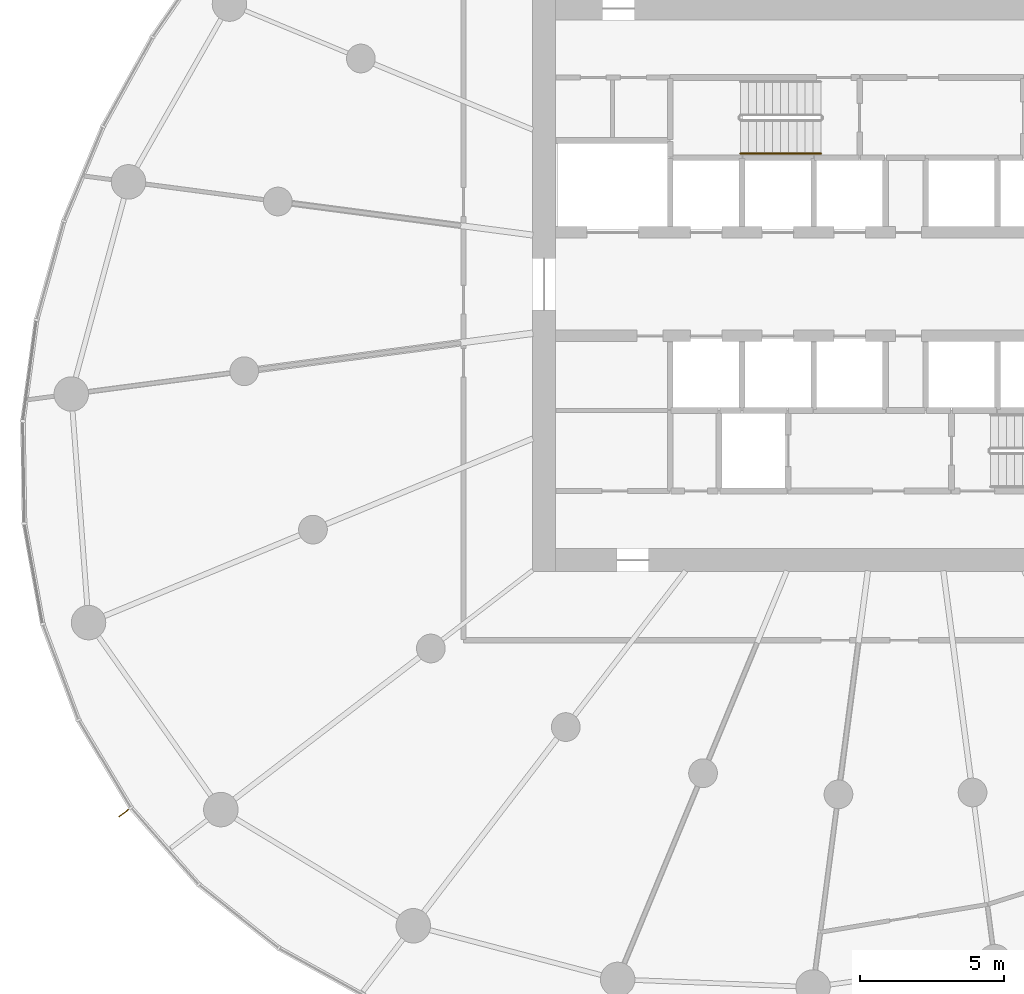
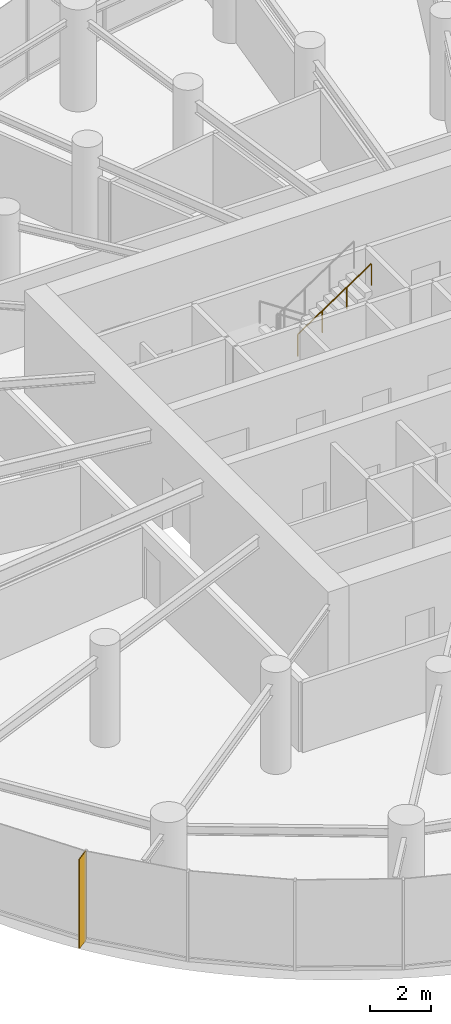
# One storey, part 15 of 17: 1 railing, 1 shading device.
"""IFC4 building model written with IfcOpenShell, lengths in metres."""

import ifcopenshell
import ifcopenshell.guid

model = None  # the IFC model being written
_history = None  # IfcOwnerHistory: only IFC2X3 demands one
_inside = {}  # id of a spatial element -> (the spatial element, [elements in it])
_under = {}  # id of a project, library or spatial element -> (it, [spatial elements below it])
_declared = {}  # id of a project -> (the project, [libraries it declares])
_typed = {}  # id of a type object -> (the type object, [elements of that type])
_made_of = {}  # id of a material, layer set ... -> (it, [elements and type objects made of it])


def new_model(schema):
    """Start an empty IFC model of exactly this schema.

    Asked for "IFC4X3", IfcOpenShell would pick the latest addendum, in which some entities
    have other attributes; the version numbers below select the first issue.
    IFC2X3 requires an IfcOwnerHistory on every rooted entity: one is made here for all.
    """
    global model, _history
    if schema == "IFC4X3":
        model = ifcopenshell.file(schema_version=(4, 3, 0, 0))
    else:
        model = ifcopenshell.file(schema=schema)
    _inside.clear()
    _under.clear()
    _declared.clear()
    _typed.clear()
    _made_of.clear()
    _history = None
    if model.schema == "IFC2X3":
        org = make("IfcOrganization", Name="unknown")
        user = make(
            "IfcPersonAndOrganization",
            ThePerson=make("IfcPerson", FamilyName="unknown"),
            TheOrganization=org,
        )
        app = make(
            "IfcApplication",
            ApplicationDeveloper=org,
            Version="unknown",
            ApplicationFullName="unknown",
            ApplicationIdentifier="unknown",
        )
        _history = make(
            "IfcOwnerHistory",
            OwningUser=user,
            OwningApplication=app,
            ChangeAction="ADDED",
            CreationDate=0,
        )
    return model


def make(cls, **values):
    """One entity of the class cls with the attributes given. An attribute that is None is left unset."""
    return model.create_entity(
        cls, **{name: value for name, value in values.items() if value is not None}
    )


def rooted(cls, **values):
    """An entity with a GlobalId (a new one), such as an element, a storey or a relation."""
    return make(cls, GlobalId=ifcopenshell.guid.new(), OwnerHistory=_history, **values)


def si_unit(unit_type, name, prefix=None):
    """IfcSIUnit, for example si_unit("LENGTHUNIT", "METRE", prefix="MILLI")."""
    return make("IfcSIUnit", UnitType=unit_type, Prefix=prefix, Name=name)


def assignment(units):
    """IfcUnitAssignment: the units of a project."""
    return None if units is None else make("IfcUnitAssignment", Units=units)


def point(xyz):
    """IfcCartesianPoint."""
    return None if xyz is None else make("IfcCartesianPoint", Coordinates=xyz)


def direction(xyz):
    """IfcDirection."""
    return None if xyz is None else make("IfcDirection", DirectionRatios=xyz)


def frame(location, z_axis=None, x_axis=None):
    """IfcAxis2Placement3D, a coordinate frame: its origin and axes. An axis left out is left unset."""
    return make(
        "IfcAxis2Placement3D",
        Location=point(location),
        Axis=direction(z_axis),
        RefDirection=direction(x_axis),
    )


def frame_2d(location, x_axis=None):
    """IfcAxis2Placement2D, a coordinate frame in the plane: its origin and x axis."""
    return make(
        "IfcAxis2Placement2D", Location=point(location), RefDirection=direction(x_axis)
    )


def origin():
    """The frame at (0, 0, 0) with its axes left unset."""
    return frame((0.0, 0.0, 0.0))


def origin_2d():
    """The frame at (0, 0) in the plane with its x axis left unset."""
    return frame_2d((0.0, 0.0))


def place(relative_to, where):
    """IfcLocalPlacement: puts the frame where relative to a parent placement (None: the world)."""
    return make(
        "IfcLocalPlacement", PlacementRelTo=relative_to, RelativePlacement=where
    )


def context(
    kind, dimensions, precision=None, world=None, true_north=None, identifier=None
):
    """IfcGeometricRepresentationContext, for example the 3D "Model" context."""
    return make(
        "IfcGeometricRepresentationContext",
        ContextIdentifier=identifier,
        ContextType=kind,
        CoordinateSpaceDimension=dimensions,
        Precision=precision,
        WorldCoordinateSystem=world,
        TrueNorth=true_north,
    )


def subcontext(parent, identifier, kind, view, scale=None):
    """IfcGeometricRepresentationSubContext, for example "Body" below "Model"."""
    return make(
        "IfcGeometricRepresentationSubContext",
        ContextIdentifier=identifier,
        ContextType=kind,
        ParentContext=parent,
        TargetScale=scale,
        TargetView=view,
    )


def project(units=None, contexts=None):
    """IfcProject with its units and contexts."""
    return rooted(
        "IfcProject",
        Name="project",
        RepresentationContexts=contexts,
        UnitsInContext=assignment(units),
    )


def spatial(cls, under=None, at=None, **own):
    """A site, building, storey or space (cls), placed at a placement, below another one or the project."""
    s = rooted(cls, ObjectPlacement=at, **own)
    if under is not None:
        _under.setdefault(under.id(), (under, []))[1].append(s)
    return s


def profile(cls, at=None, kind="AREA", **sizes):
    """A parametric profile (cls). Its sizes go by their IFC names, for example OverallWidth=200.0."""
    return make(cls, ProfileType=kind, Position=at, **sizes)


def rectangle(**sizes):
    """IfcRectangleProfileDef."""
    return profile("IfcRectangleProfileDef", **sizes)


def circle(**sizes):
    """IfcCircleProfileDef."""
    return profile("IfcCircleProfileDef", **sizes)


def extrude(swept, where, along, depth):
    """IfcExtrudedAreaSolid: the profile swept, set in the frame where, extruded along a direction by depth."""
    return make(
        "IfcExtrudedAreaSolid",
        SweptArea=swept,
        Position=where,
        ExtrudedDirection=direction(along),
        Depth=depth,
    )


def shape(context_of_items, identifier, shape_type, items):
    """IfcShapeRepresentation: the items that make up one representation, for example the "Body"."""
    return make(
        "IfcShapeRepresentation",
        ContextOfItems=context_of_items,
        RepresentationIdentifier=identifier,
        RepresentationType=shape_type,
        Items=items,
    )


def source(mapping_origin, context_of_items, identifier, shape_type, items):
    """IfcRepresentationMap: a shape defined once, which mapped items show again and again."""
    return make(
        "IfcRepresentationMap",
        MappingOrigin=mapping_origin,
        MappedRepresentation=shape(context_of_items, identifier, shape_type, items),
    )


def transform(
    local_origin,
    x_axis=None,
    y_axis=None,
    z_axis=None,
    scale=None,
    scale2=None,
    scale3=None,
    uniform=True,
):
    """IfcCartesianTransformationOperator3D, or its non-uniform kind. x_axis, y_axis, z_axis: its Axis1, 2, 3."""
    if uniform:
        return make(
            "IfcCartesianTransformationOperator3D",
            Axis1=direction(x_axis),
            Axis2=direction(y_axis),
            LocalOrigin=point(local_origin),
            Scale=scale,
            Axis3=direction(z_axis),
        )
    return make(
        "IfcCartesianTransformationOperator3DnonUniform",
        Axis1=direction(x_axis),
        Axis2=direction(y_axis),
        LocalOrigin=point(local_origin),
        Scale=scale,
        Axis3=direction(z_axis),
        Scale2=scale2,
        Scale3=scale3,
    )


def mapped(mapping_source, mapping_target):
    """IfcMappedItem: shows the shape of a source again, moved by a transform."""
    return make(
        "IfcMappedItem", MappingSource=mapping_source, MappingTarget=mapping_target
    )


def material(Name=None, Category=None):
    """IfcMaterial."""
    return make("IfcMaterial", Name=Name, Category=Category)


def material_profile(
    of_material, cross_section, Name=None, Category=None, Priority=None
):
    """IfcMaterialProfile: a cross section and its material."""
    return make(
        "IfcMaterialProfile",
        Name=Name,
        Material=of_material,
        Profile=cross_section,
        Priority=Priority,
        Category=Category,
    )


def profile_set(profiles, Name=None, composite=None):
    """IfcMaterialProfileSet."""
    return make(
        "IfcMaterialProfileSet",
        Name=Name,
        MaterialProfiles=profiles,
        CompositeProfile=composite,
    )


def made_of(thing, what):
    """Note that an element or type object is made of a material, layer set ...; save() writes the relation."""
    if what is not None:
        _made_of.setdefault(what.id(), (what, []))[1].append(thing)
    return thing


def type_object(cls, material=None, **own):
    """A type object (cls), such as IfcWallType, which elements share."""
    return made_of(rooted(cls, **own), material)


def element(
    cls,
    number,
    at=None,
    inside=None,
    cuts=None,
    type_object=None,
    material=None,
    context=None,
    identifier="Body",
    shape_type=None,
    held_by="IfcProductDefinitionShape",
    body=None,
    shapes=None,
    **own,
):
    """One element of the class cls, such as IfcWall. Its Tag is "e" and its number.

    at: its placement. inside: the storey or other place that contains it. cuts: it is an
    opening in that element (IfcRelVoidsElement). A single representation is given by context,
    identifier, shape_type and body (its items); several are given by shapes. held_by: the class
    of the entity that holds the representations. save() writes the other relations.
    """
    e = rooted(cls, Tag="e%d" % number, ObjectPlacement=at, **own)
    if body is not None:
        shapes = [shape(context, identifier, shape_type, body)]
    if shapes is not None:
        e.Representation = make(held_by, Representations=shapes)
    if inside is not None:
        _inside.setdefault(inside.id(), (inside, []))[1].append(e)
    if cuts is not None:
        rooted(
            "IfcRelVoidsElement", RelatingBuildingElement=cuts, RelatedOpeningElement=e
        )
    if type_object is not None:
        _typed.setdefault(type_object.id(), (type_object, []))[1].append(e)
    return made_of(e, material)


def aggregate(whole, parts):
    """IfcRelAggregates: a whole, such as a stair, and the parts it consists of."""
    return rooted("IfcRelAggregates", RelatingObject=whole, RelatedObjects=parts)


def save(model, path):
    """Write the relations noted so far, then the file.

    IfcRelAggregates (storeys below a building ...), IfcRelContainedInSpatialStructure (elements
    in a storey), IfcRelDefinesByType, IfcRelAssociatesMaterial and IfcRelDeclares: one each for
    every whole, place, type object, material and project.
    """
    for whole, parts in _under.values():
        aggregate(whole, parts)
    for where, things in _inside.values():
        rooted(
            "IfcRelContainedInSpatialStructure",
            RelatedElements=things,
            RelatingStructure=where,
        )
    for kind, things in _typed.values():
        rooted("IfcRelDefinesByType", RelatedObjects=things, RelatingType=kind)
    for what, things in _made_of.values():
        rooted("IfcRelAssociatesMaterial", RelatedObjects=things, RelatingMaterial=what)
    for by, libraries in _declared.values():
        rooted("IfcRelDeclares", RelatingContext=by, RelatedDefinitions=libraries)
    model.write(path)


model = new_model("IFC4")

# Units and contexts
model_context = context("Model", 3, precision=1e-05, world=origin(), true_north=direction((0.0, 1.0)))
body_context = subcontext(model_context, "Body", "Model", "MODEL_VIEW")
ifc_project = project(units=[si_unit("LENGTHUNIT", "METRE"), si_unit("AREAUNIT", "SQUARE_METRE"), si_unit("VOLUMEUNIT", "CUBIC_METRE"), si_unit("PLANEANGLEUNIT", "RADIAN"), si_unit("MASSUNIT", "GRAM", prefix="KILO")], contexts=[model_context])

# Site, building, storey
site_placement = place(None, origin())
site = spatial("IfcSite", under=ifc_project, at=site_placement, CompositionType="ELEMENT")
building_placement = place(site_placement, origin())
building = spatial("IfcBuilding", under=site, at=building_placement, Name="Spindrift Exchange Tower", CompositionType="ELEMENT")
storey_placement = place(building_placement, frame((0.0, 0.0, 124.89990234375)))
storey = spatial("IfcBuildingStorey", under=building, at=storey_placement, Name="L29", CompositionType="ELEMENT", Elevation=124.89990234375)

# Railing
ifc_material_1 = material(Name="Steel tubular handrail", Category="steel")
railing_type = type_object("IfcRailingType", Name="RL-STAIR-HAND", PredefinedType="HANDRAIL", material=ifc_material_1)
railing_placement = place(storey_placement, frame((46.25, 52.550048828125, 2.236572265625)))
element("IfcRailing", 1, at=railing_placement, inside=storey, type_object=railing_type, Name="L29 ST1 stair handrail 2", PredefinedType="HANDRAIL", context=body_context, shape_type="SweptSolid", body=[
    extrude(circle(Radius=0.02392578125, at=origin_2d()), frame((0.0, 0.0, 0.8759765625), z_axis=(0.832485552168, 0.0, 0.554046753832), x_axis=(0.0, 1.0, 0.0)), (0.0, 0.0, 1.0), 3.363525390625),
    extrude(circle(Radius=0.02099609375, at=origin_2d()), origin(), (0.0, 0.0, 1.0), 0.851806640625),
    extrude(circle(Radius=0.02099609375, at=origin_2d()), frame((0.933349609375, 0.0, 0.62109375)), (0.0, 0.0, 1.0), 0.851806640625),
    extrude(circle(Radius=0.02099609375, at=origin_2d()), frame((1.86669921875, 0.0, 1.242431640625)), (0.0, 0.0, 1.0), 0.851806640625),
    extrude(circle(Radius=0.02099609375, at=origin_2d()), frame((2.800048828125, 0.0, 1.863525390625)), (0.0, 0.0, 1.0), 0.851806640625),
])

# Shading device
ifc_material_2 = material(Name="Bronze anodised aluminium", Category="aluminium")
ifc_material_profile = material_profile(ifc_material_2, rectangle(XDim=0.030029296875, YDim=0.550048828125, at=origin_2d()), Name="WIND FIN 30X550")
ifc_profile_set = profile_set([ifc_material_profile], Name="Bronze anodised aluminium")
shading_device_type = type_object("IfcShadingDeviceType", Name="WIND FIN 30X550", PredefinedType="USERDEFINED", material=ifc_profile_set)
shared_shape = source(origin(), body_context, "Body", "SweptSolid", [
    extrude(rectangle(XDim=0.030029296875, YDim=0.550048828125, at=origin_2d()), origin(), (0.0, 0.0, 1.0), 3.60009765625),
])
shading_device_placement = place(storey_placement, frame((24.82421875, 29.6181640625, 0.0), z_axis=(0.0, 0.0, 1.0), x_axis=(0.590283094236, -0.807196301193, 0.0)))
element("IfcShadingDevice", 2, at=shading_device_placement, inside=storey, type_object=shading_device_type, Name="L29 wind fin 1", ObjectType="FIN", PredefinedType="USERDEFINED", context=body_context, shape_type="MappedRepresentation", body=[
    mapped(shared_shape, transform((0.0, 0.0, 0.0), scale=1.0)),
])

save(model, "model.ifc")
